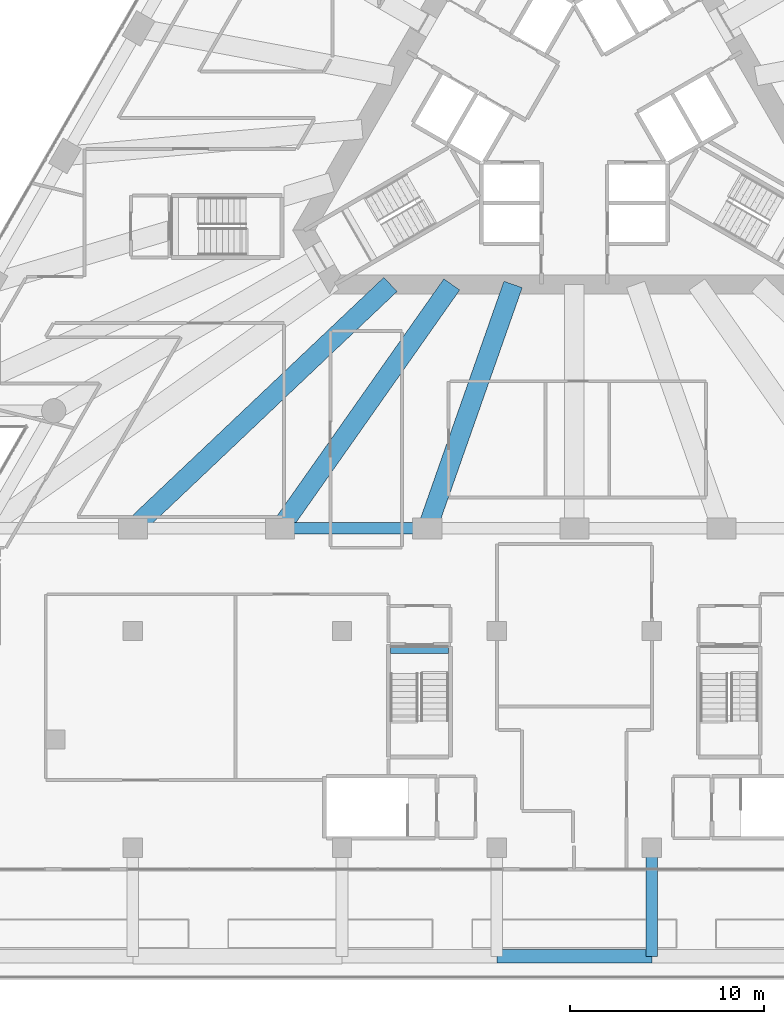
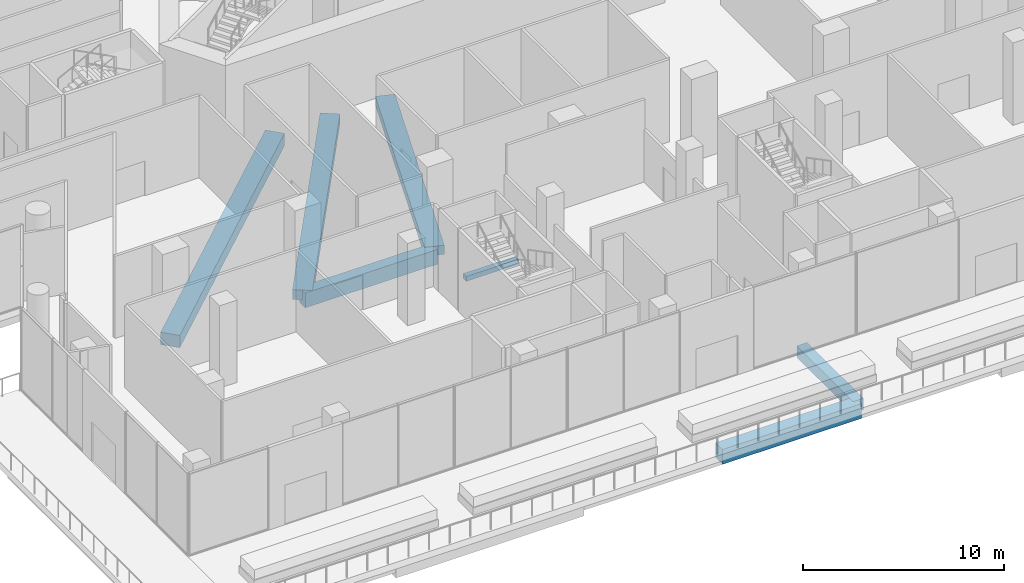
# One storey, part 5 of 32: 7 beams.
"""IFC4 building model written with IfcOpenShell, lengths in metres."""

from ifc_helpers import new_model, si_unit, direction, frame, origin, origin_2d, place, context, subcontext, project, spatial, rectangle, extrude, material, material_profile, profile_set, type_object, element, save


model = new_model("IFC4")

# Units and contexts
model_context = context("Model", 3, precision=1e-05, world=origin(), true_north=direction((0.0, 1.0)))
body_context = subcontext(model_context, "Body", "Model", "MODEL_VIEW")
ifc_project = project(units=[si_unit("LENGTHUNIT", "METRE"), si_unit("AREAUNIT", "SQUARE_METRE"), si_unit("VOLUMEUNIT", "CUBIC_METRE"), si_unit("PLANEANGLEUNIT", "RADIAN"), si_unit("MASSUNIT", "GRAM", prefix="KILO")], contexts=[model_context])

# Site, building, storey
site_placement = place(None, origin())
site = spatial("IfcSite", under=ifc_project, at=site_placement, CompositionType="ELEMENT")
building_placement = place(site_placement, origin())
building = spatial("IfcBuilding", under=site, at=building_placement, Name="Triada Interchange Tower", CompositionType="ELEMENT")
storey_placement = place(building_placement, frame((0.0, 0.0, 14.5)))
storey = spatial("IfcBuildingStorey", under=building, at=storey_placement, Name="L02", CompositionType="ELEMENT", Elevation=14.5)

# Beams
ifc_material_1 = material(Name="Concrete C35/45", Category="concrete")
ifc_material_profile_1 = material_profile(ifc_material_1, rectangle(XDim=0.300048828125, YDim=0.300048828125, at=origin_2d()), Name="RC 300x300")
ifc_profile_set_1 = profile_set([ifc_material_profile_1], Name="Concrete C35/45")
beam_type_1 = type_object("IfcBeamType", Name="Landing support beam RC 300x300", PredefinedType="BEAM", material=ifc_profile_set_1)
beam_1_placement = place(storey_placement, frame((-6.5, -27.89990234375, 2.191162109375), z_axis=(-1.0, 0.0, 0.0), x_axis=(0.0, -1.0, 0.0)))
element("IfcBeam", 1, at=beam_1_placement, inside=storey, type_object=beam_type_1, Name="Landing support beam S02-11 1", PredefinedType="BEAM", context=body_context, shape_type="SweptSolid", body=[
    extrude(rectangle(XDim=0.300048828125, YDim=0.300048828125, at=origin_2d()), origin(), (0.0, 0.0, 1.0), 3.0),
])
ifc_material_2 = material(Name="Concrete C50/60", Category="concrete")
ifc_material_profile_2 = material_profile(ifc_material_2, rectangle(XDim=1.0, YDim=0.550048828125, at=origin_2d()), Name="RC 1000x550")
ifc_profile_set_2 = profile_set([ifc_material_profile_2], Name="Concrete C50/60")
beam_type_2 = type_object("IfcBeamType", Name="Radial band beam P RC 1000x550", PredefinedType="BEAM", material=ifc_profile_set_2)
beam_2_placement = place(storey_placement, frame((-7.59912109375, -21.60009765625, -0.675048828125), z_axis=(0.331888742463, 0.943318537201, 0.0), x_axis=(-0.943318537201, 0.331888742463, 0.0)))
element("IfcBeam", 2, at=beam_2_placement, inside=storey, type_object=beam_type_2, Name="Radial band beam BP14 L02", PredefinedType="BEAM", context=body_context, shape_type="SweptSolid", body=[
    extrude(rectangle(XDim=1.0, YDim=0.550048828125, at=origin_2d()), origin(), (0.0, 0.0, 1.0), 13.357177734375),
])
ifc_material_profile_3 = material_profile(ifc_material_2, rectangle(XDim=1.0, YDim=0.60009765625, at=origin_2d()), Name="RC 1000x600")
ifc_profile_set_3 = profile_set([ifc_material_profile_3], Name="Concrete C50/60")
beam_type_3 = type_object("IfcBeamType", Name="Radial band beam P RC 1000x600", PredefinedType="BEAM", material=ifc_profile_set_3)
beam_3_placement = place(storey_placement, frame((-15.197998046875, -21.60009765625, -0.699951171875), z_axis=(0.575460041142, 0.81782989738, 0.0), x_axis=(-0.81782989738, 0.575460041142, 0.0)))
element("IfcBeam", 3, at=beam_3_placement, inside=storey, type_object=beam_type_3, Name="Radial band beam BP13 L02", PredefinedType="BEAM", context=body_context, shape_type="SweptSolid", body=[
    extrude(rectangle(XDim=1.0, YDim=0.60009765625, at=origin_2d()), origin(), (0.0, 0.0, 1.0), 15.40673828125),
])
ifc_material_profile_4 = material_profile(ifc_material_2, rectangle(XDim=1.0, YDim=0.75, at=origin_2d()), Name="RC 1000x750")
ifc_profile_set_4 = profile_set([ifc_material_profile_4], Name="Concrete C50/60")
beam_type_4 = type_object("IfcBeamType", Name="Radial band beam P RC 1000x750", PredefinedType="BEAM", material=ifc_profile_set_4)
beam_4_placement = place(storey_placement, frame((-22.798095703125, -21.60009765625, -0.77490234375), z_axis=(0.725926069578, 0.687772739723, 0.0), x_axis=(-0.687772739723, 0.725926069578, 0.0)))
element("IfcBeam", 4, at=beam_4_placement, inside=storey, type_object=beam_type_4, Name="Radial band beam BP12 L02", PredefinedType="BEAM", context=body_context, shape_type="SweptSolid", body=[
    extrude(rectangle(XDim=1.0, YDim=0.75, at=origin_2d()), origin(), (0.0, 0.0, 1.0), 18.320068359375),
])
ifc_material_profile_5 = material_profile(ifc_material_2, rectangle(XDim=0.60009765625, YDim=0.89990234375, at=origin_2d()), Name="RC 600x900")
ifc_profile_set_5 = profile_set([ifc_material_profile_5], Name="Concrete C50/60")
beam_type_5 = type_object("IfcBeamType", Name="Spandrel beam P RC 600x900", PredefinedType="BEAM", material=ifc_profile_set_5)
beam_5_placement = place(storey_placement, frame((-15.197998046875, -21.60009765625, -0.85009765625), z_axis=(1.0, 0.0, 0.0), x_axis=(0.0, 1.0, 0.0)))
element("IfcBeam", 5, at=beam_5_placement, inside=storey, type_object=beam_type_5, Name="Spandrel beam EP13 L02", PredefinedType="BEAM", context=body_context, shape_type="SweptSolid", body=[
    extrude(rectangle(XDim=0.60009765625, YDim=0.89990234375, at=origin_2d()), origin(), (0.0, 0.0, 1.0), 7.598876953125),
])
ifc_material_3 = material(Name="Concrete C40/50", Category="concrete")
ifc_material_profile_6 = material_profile(ifc_material_3, rectangle(XDim=0.60009765625, YDim=0.699951171875, at=origin_2d()), Name="RC 600x700")
ifc_profile_set_6 = profile_set([ifc_material_profile_6], Name="Concrete C40/50")
beam_type_6 = type_object("IfcBeamType", Name="Terrace beam RC 600x700", PredefinedType="BEAM", material=ifc_profile_set_6)
beam_6_placement = place(storey_placement, frame((4.0, -43.699951171875, -0.75), z_axis=(0.0, 1.0, 0.0), x_axis=(-1.0, 0.0, 0.0)))
element("IfcBeam", 6, at=beam_6_placement, inside=storey, type_object=beam_type_6, Name="Terrace beam TE15 L02", PredefinedType="BEAM", context=body_context, shape_type="SweptSolid", body=[
    extrude(rectangle(XDim=0.60009765625, YDim=0.699951171875, at=origin_2d()), origin(), (0.0, 0.0, 1.0), 5.599853515625),
])
ifc_material_profile_7 = material_profile(ifc_material_3, rectangle(XDim=0.699951171875, YDim=0.89990234375, at=origin_2d()), Name="RC 700x900")
ifc_profile_set_7 = profile_set([ifc_material_profile_7], Name="Concrete C40/50")
beam_type_7 = type_object("IfcBeamType", Name="Terrace beam RC 700x900", PredefinedType="BEAM", material=ifc_profile_set_7)
beam_7_placement = place(storey_placement, frame((-4.0, -43.699951171875, -0.85009765625), z_axis=(1.0, 0.0, 0.0), x_axis=(0.0, 1.0, 0.0)))
element("IfcBeam", 7, at=beam_7_placement, inside=storey, type_object=beam_type_7, Name="Terrace beam TE22 L02", PredefinedType="BEAM", context=body_context, shape_type="SweptSolid", body=[
    extrude(rectangle(XDim=0.699951171875, YDim=0.89990234375, at=origin_2d()), origin(), (0.0, 0.0, 1.0), 8.0),
])

save(model, "model.ifc")
